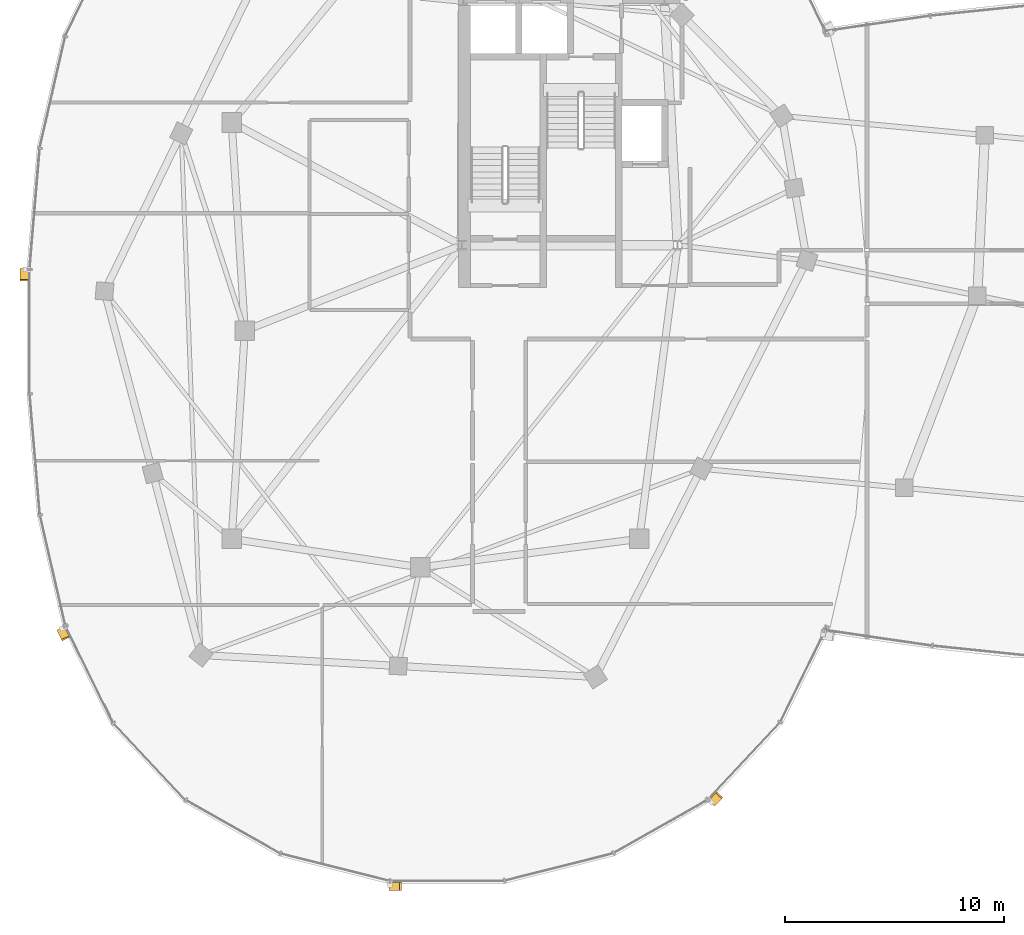
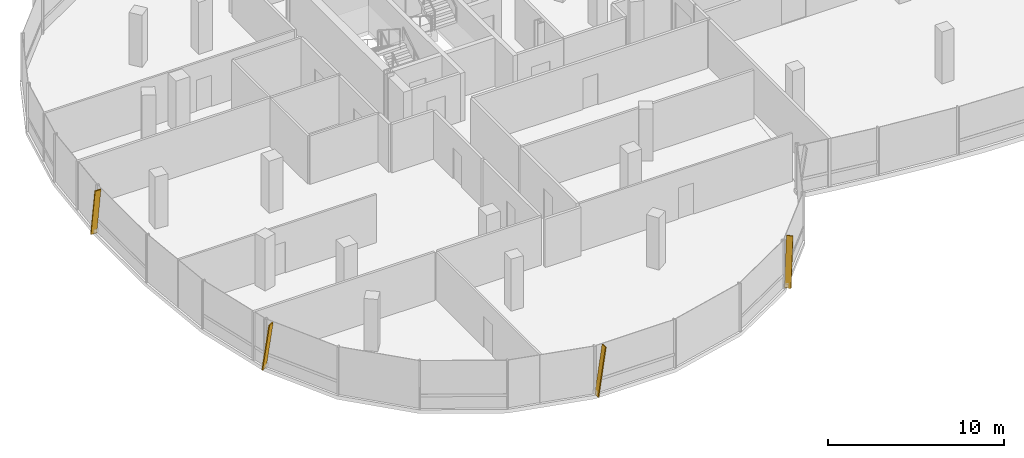
# One storey, part 20 of 25: 4 shading devices.
"""IFC4 building model written with IfcOpenShell, lengths in metres."""

from ifc_helpers import new_model, si_unit, direction, frame, origin, origin_2d, place, context, subcontext, project, spatial, rectangle, extrude, material, material_profile, profile_set, type_object, element, save


model = new_model("IFC4")

# Units and contexts
model_context = context("Model", 3, precision=1e-05, world=origin(), true_north=direction((0.0, 1.0)))
body_context = subcontext(model_context, "Body", "Model", "MODEL_VIEW")
ifc_project = project(units=[si_unit("LENGTHUNIT", "METRE"), si_unit("AREAUNIT", "SQUARE_METRE"), si_unit("VOLUMEUNIT", "CUBIC_METRE"), si_unit("PLANEANGLEUNIT", "RADIAN"), si_unit("MASSUNIT", "GRAM", prefix="KILO"), si_unit("THERMODYNAMICTEMPERATUREUNIT", "KELVIN"), si_unit("POWERUNIT", "WATT")], contexts=[model_context])

# Site, building, storey
site_placement = place(None, origin())
site = spatial("IfcSite", under=ifc_project, at=site_placement, CompositionType="ELEMENT")
building_placement = place(site_placement, origin())
building = spatial("IfcBuilding", under=site, at=building_placement, Name="Cundina Bronze Exchange", CompositionType="ELEMENT")
storey_placement = place(building_placement, frame((0.0, 0.0, 246.800048828125)))
storey = spatial("IfcBuildingStorey", under=building, at=storey_placement, Name="L65", CompositionType="ELEMENT", Elevation=246.800048828125)

# Shading devices
ifc_material = material(Name="Anodised Bronze Aluminium 6063-T6", Category="aluminium")
ifc_material_profile = material_profile(ifc_material, rectangle(XDim=0.070068359375, YDim=0.3798828125, at=origin_2d()), Name="FIN70X380", Category="aluminium")
ifc_profile_set = profile_set([ifc_material_profile], Name="Anodised Bronze Aluminium 6063-T6")
shading_device_type = type_object("IfcShadingDeviceType", Name="SHD-FIN-BRZ380", PredefinedType="USERDEFINED", material=ifc_profile_set)
for number, where, z_axis, x_axis, name in (
    (1, (-51.26904296875, 2.79150390625, 0.02001953125), (0.0, -0.143932024572, 0.989587576874), (0.0, 0.989587576874, 0.143932024572), "L65 Diagonal Bronze Solar Fin 5"),
    (2, (-49.593505859375, -13.614013671875, 0.02001953125), (0.063400368732, -0.129216686851, 0.989587510574), (-0.435900311632, 0.888411143223, 0.143932480407), "L65 Diagonal Bronze Solar Fin 1"),
    (3, (-34.576416015625, -25.360107421875, 0.02001953125), (0.143932024572, 0.0, 0.989587576874), (-0.989587576874, 0.0, 0.143932024572), "L65 Diagonal Bronze Solar Fin 5"),
    (4, (-19.877685546875, -21.55078125, 0.02001953125), (0.098541444371, 0.10491076507, 0.989587446926), (-0.677505727677, -0.721296959704, 0.143932918008), "L65 Diagonal Bronze Solar Fin 1"),
):
    element("IfcShadingDevice", number, at=place(storey_placement, frame(where, z_axis=z_axis, x_axis=x_axis)), inside=storey, type_object=shading_device_type, Name=name, ObjectType="FIN", PredefinedType="USERDEFINED", context=body_context, shape_type="SweptSolid", body=[
        extrude(rectangle(XDim=0.070068359375, YDim=0.3798828125, at=origin_2d()), origin(), (0.0, 0.0, 1.0), 3.334716796875),
    ])

save(model, "model.ifc")
